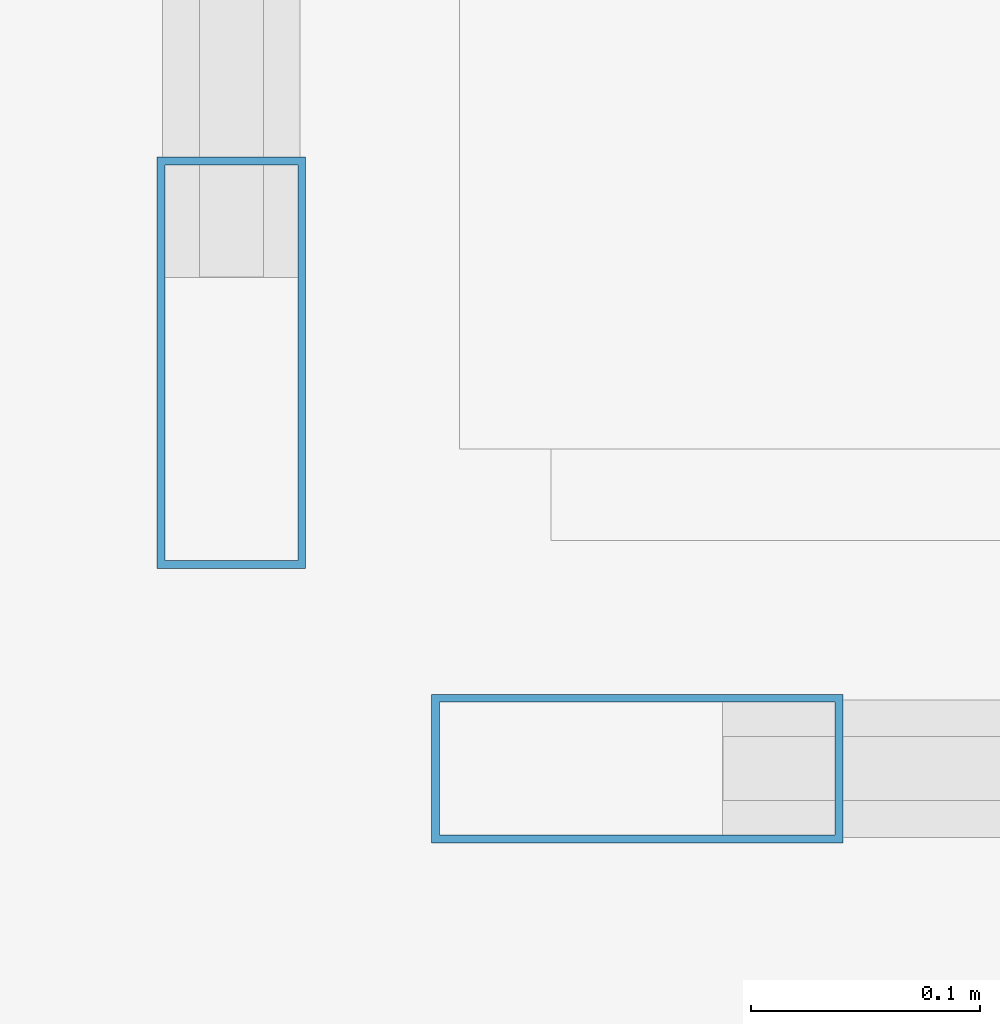
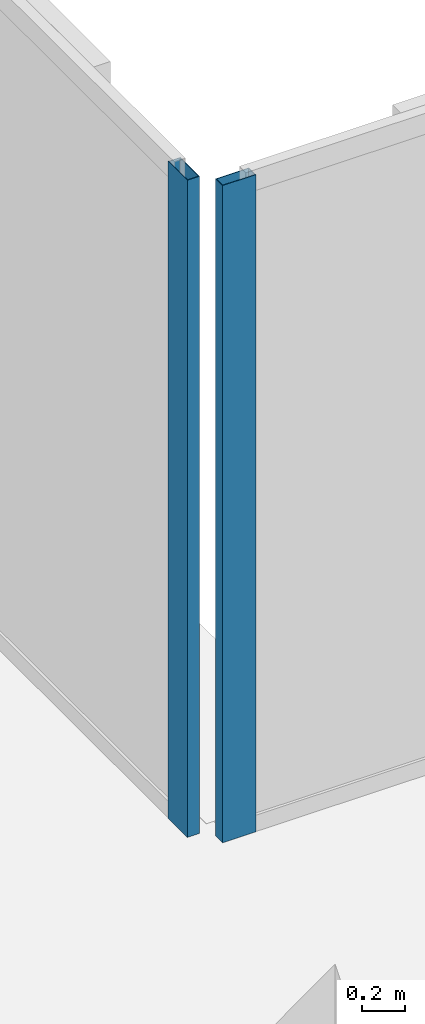
# One storey, part 19 of 30: 2 members, 2 elements without a shape of their own.
"""IFC4 building model written with IfcOpenShell, lengths in metres."""

from ifc_helpers import new_model, si_unit, direction, frame, origin, origin_2d, place, context, subcontext, project, spatial, hollow_rectangle, extrude, material, layer, layer_set, material_profile, profile_set, type_object, element, aggregate, save


model = new_model("IFC4")

# Units and contexts
model_context = context("Model", 3, precision=1e-05, world=origin(), true_north=direction((0.0, 1.0)))
body_context = subcontext(model_context, "Body", "Model", "MODEL_VIEW")
ifc_project = project(units=[si_unit("LENGTHUNIT", "METRE"), si_unit("AREAUNIT", "SQUARE_METRE"), si_unit("VOLUMEUNIT", "CUBIC_METRE"), si_unit("PLANEANGLEUNIT", "RADIAN"), si_unit("MASSUNIT", "GRAM", prefix="KILO")], contexts=[model_context])

# Site, building, storey
site_placement = place(None, origin())
site = spatial("IfcSite", under=ifc_project, at=site_placement, CompositionType="ELEMENT")
building_placement = place(site_placement, origin())
building = spatial("IfcBuilding", under=site, at=building_placement, Name="Nerrivon Quay Data Exchange", CompositionType="ELEMENT")
storey_placement = place(building_placement, frame((0.0, 0.0, 216.5)))
storey = spatial("IfcBuildingStorey", under=building, at=storey_placement, Name="L51", CompositionType="ELEMENT", Elevation=216.5)

# Curtain wall, member
ifc_material = material(Name="Anodised aluminium 6063-T6", Category="aluminium")
ifc_layer = layer(ifc_material, 0.195068359375)
ifc_layer_set = layer_set([ifc_layer], Name="Anodised aluminium 6063-T6")
curtain_wall_type = type_object("IfcCurtainWallType", Name="CW-SYS-06", PredefinedType="NOTDEFINED", material=ifc_layer_set)
curtain_wall_1_placement = place(storey_placement, origin())
curtain_wall_1 = element("IfcCurtainWall", 1, at=curtain_wall_1_placement, inside=storey, type_object=curtain_wall_type, Name="L51 Unitised Curtain Wall 11", PredefinedType="NOTDEFINED")
ifc_material_profile = material_profile(ifc_material, hollow_rectangle(XDim=0.06494140625, YDim=0.179931640625, WallThickness=0.00341796875, at=origin_2d()), Name="ALU-MULL-180x65")
ifc_profile_set = profile_set([ifc_material_profile], Name="Anodised aluminium 6063-T6")
member_type = type_object("IfcMemberType", Name="CWM-180x65", PredefinedType="MULLION", material=ifc_profile_set)
member_1_placement = place(storey_placement, frame((20.860107421875, 46.237548828125, 0.0), z_axis=(0.0, 0.0, 1.0), x_axis=(1.0, 0.0, 0.0)))
member_1 = element("IfcMember", 2, at=member_1_placement, type_object=member_type, Name="CW06 mullion 2", PredefinedType="MULLION", context=body_context, shape_type="SweptSolid", body=[
    extrude(hollow_rectangle(XDim=0.06494140625, YDim=0.179931640625, WallThickness=0.00341796875, at=origin_2d()), origin(), (0.0, 0.0, 1.0), 3.75),
])
aggregate(curtain_wall_1, [member_1])

curtain_wall_2_placement = place(storey_placement, origin())
curtain_wall_2 = element("IfcCurtainWall", 3, at=curtain_wall_2_placement, inside=storey, type_object=curtain_wall_type, Name="L51 Unitised Curtain Wall 12", PredefinedType="NOTDEFINED")
member_2_placement = place(storey_placement, frame((21.03759765625, 46.06005859375, 0.0), z_axis=(0.0, 0.0, 1.0), x_axis=(0.0, 1.0, 0.0)))
member_2 = element("IfcMember", 4, at=member_2_placement, type_object=member_type, Name="CW06 mullion 1", PredefinedType="MULLION", context=body_context, shape_type="SweptSolid", body=[
    extrude(hollow_rectangle(XDim=0.06494140625, YDim=0.179931640625, WallThickness=0.00341796875, at=origin_2d()), origin(), (0.0, 0.0, 1.0), 3.75),
])
aggregate(curtain_wall_2, [member_2])

save(model, "model.ifc")
